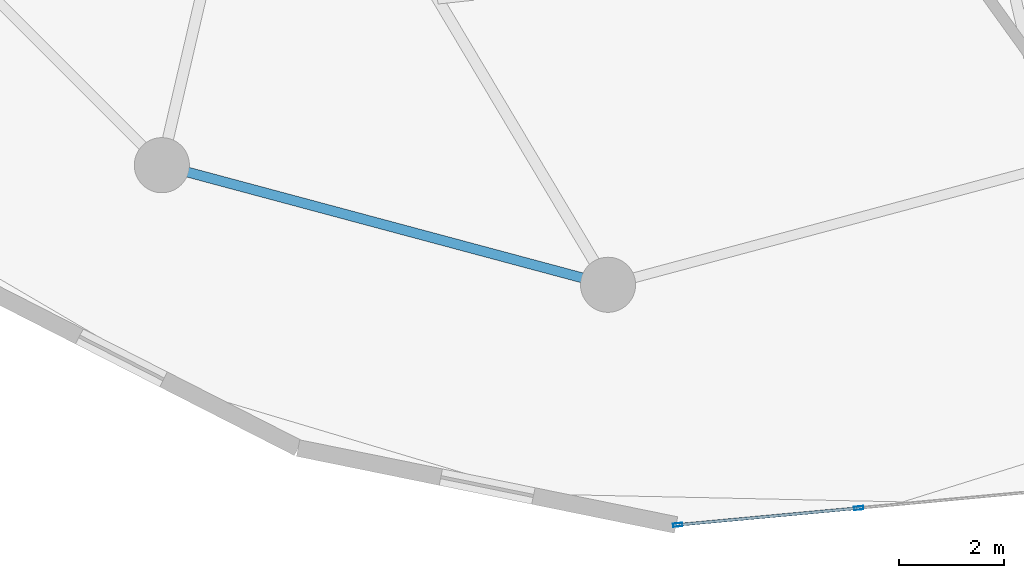
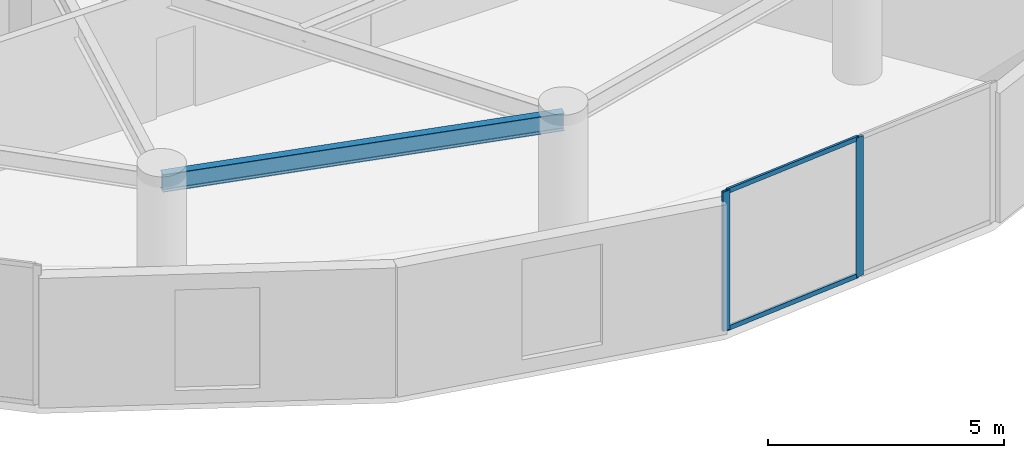
# One storey, part 3 of 25: 4 members, 1 beam, 1 element without a shape of its own.
"""IFC4 building model written with IfcOpenShell, lengths in metres."""

import ifcopenshell
import ifcopenshell.guid

model = None  # the IFC model being written
_history = None  # IfcOwnerHistory: only IFC2X3 demands one
_inside = {}  # id of a spatial element -> (the spatial element, [elements in it])
_under = {}  # id of a project, library or spatial element -> (it, [spatial elements below it])
_declared = {}  # id of a project -> (the project, [libraries it declares])
_typed = {}  # id of a type object -> (the type object, [elements of that type])
_made_of = {}  # id of a material, layer set ... -> (it, [elements and type objects made of it])


def new_model(schema):
    """Start an empty IFC model of exactly this schema.

    Asked for "IFC4X3", IfcOpenShell would pick the latest addendum, in which some entities
    have other attributes; the version numbers below select the first issue.
    IFC2X3 requires an IfcOwnerHistory on every rooted entity: one is made here for all.
    """
    global model, _history
    if schema == "IFC4X3":
        model = ifcopenshell.file(schema_version=(4, 3, 0, 0))
    else:
        model = ifcopenshell.file(schema=schema)
    _inside.clear()
    _under.clear()
    _declared.clear()
    _typed.clear()
    _made_of.clear()
    _history = None
    if model.schema == "IFC2X3":
        org = make("IfcOrganization", Name="unknown")
        user = make(
            "IfcPersonAndOrganization",
            ThePerson=make("IfcPerson", FamilyName="unknown"),
            TheOrganization=org,
        )
        app = make(
            "IfcApplication",
            ApplicationDeveloper=org,
            Version="unknown",
            ApplicationFullName="unknown",
            ApplicationIdentifier="unknown",
        )
        _history = make(
            "IfcOwnerHistory",
            OwningUser=user,
            OwningApplication=app,
            ChangeAction="ADDED",
            CreationDate=0,
        )
    return model


def make(cls, **values):
    """One entity of the class cls with the attributes given. An attribute that is None is left unset."""
    return model.create_entity(
        cls, **{name: value for name, value in values.items() if value is not None}
    )


def rooted(cls, **values):
    """An entity with a GlobalId (a new one), such as an element, a storey or a relation."""
    return make(cls, GlobalId=ifcopenshell.guid.new(), OwnerHistory=_history, **values)


def si_unit(unit_type, name, prefix=None):
    """IfcSIUnit, for example si_unit("LENGTHUNIT", "METRE", prefix="MILLI")."""
    return make("IfcSIUnit", UnitType=unit_type, Prefix=prefix, Name=name)


def assignment(units):
    """IfcUnitAssignment: the units of a project."""
    return None if units is None else make("IfcUnitAssignment", Units=units)


def point(xyz):
    """IfcCartesianPoint."""
    return None if xyz is None else make("IfcCartesianPoint", Coordinates=xyz)


def direction(xyz):
    """IfcDirection."""
    return None if xyz is None else make("IfcDirection", DirectionRatios=xyz)


def frame(location, z_axis=None, x_axis=None):
    """IfcAxis2Placement3D, a coordinate frame: its origin and axes. An axis left out is left unset."""
    return make(
        "IfcAxis2Placement3D",
        Location=point(location),
        Axis=direction(z_axis),
        RefDirection=direction(x_axis),
    )


def frame_2d(location, x_axis=None):
    """IfcAxis2Placement2D, a coordinate frame in the plane: its origin and x axis."""
    return make(
        "IfcAxis2Placement2D", Location=point(location), RefDirection=direction(x_axis)
    )


def origin():
    """The frame at (0, 0, 0) with its axes left unset."""
    return frame((0.0, 0.0, 0.0))


def origin_2d():
    """The frame at (0, 0) in the plane with its x axis left unset."""
    return frame_2d((0.0, 0.0))


def place(relative_to, where):
    """IfcLocalPlacement: puts the frame where relative to a parent placement (None: the world)."""
    return make(
        "IfcLocalPlacement", PlacementRelTo=relative_to, RelativePlacement=where
    )


def context(
    kind, dimensions, precision=None, world=None, true_north=None, identifier=None
):
    """IfcGeometricRepresentationContext, for example the 3D "Model" context."""
    return make(
        "IfcGeometricRepresentationContext",
        ContextIdentifier=identifier,
        ContextType=kind,
        CoordinateSpaceDimension=dimensions,
        Precision=precision,
        WorldCoordinateSystem=world,
        TrueNorth=true_north,
    )


def subcontext(parent, identifier, kind, view, scale=None):
    """IfcGeometricRepresentationSubContext, for example "Body" below "Model"."""
    return make(
        "IfcGeometricRepresentationSubContext",
        ContextIdentifier=identifier,
        ContextType=kind,
        ParentContext=parent,
        TargetScale=scale,
        TargetView=view,
    )


def project(units=None, contexts=None):
    """IfcProject with its units and contexts."""
    return rooted(
        "IfcProject",
        Name="project",
        RepresentationContexts=contexts,
        UnitsInContext=assignment(units),
    )


def spatial(cls, under=None, at=None, **own):
    """A site, building, storey or space (cls), placed at a placement, below another one or the project."""
    s = rooted(cls, ObjectPlacement=at, **own)
    if under is not None:
        _under.setdefault(under.id(), (under, []))[1].append(s)
    return s


def profile(cls, at=None, kind="AREA", **sizes):
    """A parametric profile (cls). Its sizes go by their IFC names, for example OverallWidth=200.0."""
    return make(cls, ProfileType=kind, Position=at, **sizes)


def hollow_rectangle(**sizes):
    """IfcRectangleHollowProfileDef."""
    return profile("IfcRectangleHollowProfileDef", **sizes)


def i_section(**sizes):
    """IfcIShapeProfileDef."""
    return profile("IfcIShapeProfileDef", **sizes)


def extrude(swept, where, along, depth):
    """IfcExtrudedAreaSolid: the profile swept, set in the frame where, extruded along a direction by depth."""
    return make(
        "IfcExtrudedAreaSolid",
        SweptArea=swept,
        Position=where,
        ExtrudedDirection=direction(along),
        Depth=depth,
    )


def shape(context_of_items, identifier, shape_type, items):
    """IfcShapeRepresentation: the items that make up one representation, for example the "Body"."""
    return make(
        "IfcShapeRepresentation",
        ContextOfItems=context_of_items,
        RepresentationIdentifier=identifier,
        RepresentationType=shape_type,
        Items=items,
    )


def source(mapping_origin, context_of_items, identifier, shape_type, items):
    """IfcRepresentationMap: a shape defined once, which mapped items show again and again."""
    return make(
        "IfcRepresentationMap",
        MappingOrigin=mapping_origin,
        MappedRepresentation=shape(context_of_items, identifier, shape_type, items),
    )


def transform(
    local_origin,
    x_axis=None,
    y_axis=None,
    z_axis=None,
    scale=None,
    scale2=None,
    scale3=None,
    uniform=True,
):
    """IfcCartesianTransformationOperator3D, or its non-uniform kind. x_axis, y_axis, z_axis: its Axis1, 2, 3."""
    if uniform:
        return make(
            "IfcCartesianTransformationOperator3D",
            Axis1=direction(x_axis),
            Axis2=direction(y_axis),
            LocalOrigin=point(local_origin),
            Scale=scale,
            Axis3=direction(z_axis),
        )
    return make(
        "IfcCartesianTransformationOperator3DnonUniform",
        Axis1=direction(x_axis),
        Axis2=direction(y_axis),
        LocalOrigin=point(local_origin),
        Scale=scale,
        Axis3=direction(z_axis),
        Scale2=scale2,
        Scale3=scale3,
    )


def mapped(mapping_source, mapping_target):
    """IfcMappedItem: shows the shape of a source again, moved by a transform."""
    return make(
        "IfcMappedItem", MappingSource=mapping_source, MappingTarget=mapping_target
    )


def material(Name=None, Category=None):
    """IfcMaterial."""
    return make("IfcMaterial", Name=Name, Category=Category)


def layer(
    of_material, thickness, ventilated=None, Name=None, Category=None, Priority=None
):
    """IfcMaterialLayer: one layer of a wall or slab, of a material (None: an air gap)."""
    return make(
        "IfcMaterialLayer",
        Material=of_material,
        LayerThickness=thickness,
        IsVentilated=ventilated,
        Name=Name,
        Category=Category,
        Priority=Priority,
    )


def layer_set(layers, Name=None):
    """IfcMaterialLayerSet."""
    return make("IfcMaterialLayerSet", MaterialLayers=layers, LayerSetName=Name)


def material_profile(
    of_material, cross_section, Name=None, Category=None, Priority=None
):
    """IfcMaterialProfile: a cross section and its material."""
    return make(
        "IfcMaterialProfile",
        Name=Name,
        Material=of_material,
        Profile=cross_section,
        Priority=Priority,
        Category=Category,
    )


def profile_set(profiles, Name=None, composite=None):
    """IfcMaterialProfileSet."""
    return make(
        "IfcMaterialProfileSet",
        Name=Name,
        MaterialProfiles=profiles,
        CompositeProfile=composite,
    )


def made_of(thing, what):
    """Note that an element or type object is made of a material, layer set ...; save() writes the relation."""
    if what is not None:
        _made_of.setdefault(what.id(), (what, []))[1].append(thing)
    return thing


def type_object(cls, material=None, **own):
    """A type object (cls), such as IfcWallType, which elements share."""
    return made_of(rooted(cls, **own), material)


def element(
    cls,
    number,
    at=None,
    inside=None,
    cuts=None,
    type_object=None,
    material=None,
    context=None,
    identifier="Body",
    shape_type=None,
    held_by="IfcProductDefinitionShape",
    body=None,
    shapes=None,
    **own,
):
    """One element of the class cls, such as IfcWall. Its Tag is "e" and its number.

    at: its placement. inside: the storey or other place that contains it. cuts: it is an
    opening in that element (IfcRelVoidsElement). A single representation is given by context,
    identifier, shape_type and body (its items); several are given by shapes. held_by: the class
    of the entity that holds the representations. save() writes the other relations.
    """
    e = rooted(cls, Tag="e%d" % number, ObjectPlacement=at, **own)
    if body is not None:
        shapes = [shape(context, identifier, shape_type, body)]
    if shapes is not None:
        e.Representation = make(held_by, Representations=shapes)
    if inside is not None:
        _inside.setdefault(inside.id(), (inside, []))[1].append(e)
    if cuts is not None:
        rooted(
            "IfcRelVoidsElement", RelatingBuildingElement=cuts, RelatedOpeningElement=e
        )
    if type_object is not None:
        _typed.setdefault(type_object.id(), (type_object, []))[1].append(e)
    return made_of(e, material)


def aggregate(whole, parts):
    """IfcRelAggregates: a whole, such as a stair, and the parts it consists of."""
    return rooted("IfcRelAggregates", RelatingObject=whole, RelatedObjects=parts)


def save(model, path):
    """Write the relations noted so far, then the file.

    IfcRelAggregates (storeys below a building ...), IfcRelContainedInSpatialStructure (elements
    in a storey), IfcRelDefinesByType, IfcRelAssociatesMaterial and IfcRelDeclares: one each for
    every whole, place, type object, material and project.
    """
    for whole, parts in _under.values():
        aggregate(whole, parts)
    for where, things in _inside.values():
        rooted(
            "IfcRelContainedInSpatialStructure",
            RelatedElements=things,
            RelatingStructure=where,
        )
    for kind, things in _typed.values():
        rooted("IfcRelDefinesByType", RelatedObjects=things, RelatingType=kind)
    for what, things in _made_of.values():
        rooted("IfcRelAssociatesMaterial", RelatedObjects=things, RelatingMaterial=what)
    for by, libraries in _declared.values():
        rooted("IfcRelDeclares", RelatingContext=by, RelatedDefinitions=libraries)
    model.write(path)


model = new_model("IFC4")

# Units and contexts
model_context = context("Model", 3, precision=1e-05, world=origin(), true_north=direction((0.0, 1.0)))
body_context = subcontext(model_context, "Body", "Model", "MODEL_VIEW")
ifc_project = project(units=[si_unit("LENGTHUNIT", "METRE"), si_unit("AREAUNIT", "SQUARE_METRE"), si_unit("VOLUMEUNIT", "CUBIC_METRE"), si_unit("PLANEANGLEUNIT", "RADIAN"), si_unit("MASSUNIT", "GRAM", prefix="KILO")], contexts=[model_context])

# Site, building, storey
site_placement = place(None, origin())
site = spatial("IfcSite", under=ifc_project, at=site_placement, CompositionType="ELEMENT")
building_placement = place(site_placement, origin())
building = spatial("IfcBuilding", under=site, at=building_placement, Name="Solvirekh Grand Hotel", CompositionType="ELEMENT")
storey_placement = place(building_placement, frame((0.0, 0.0, 117.0)))
storey = spatial("IfcBuildingStorey", under=building, at=storey_placement, Name="L29", CompositionType="ELEMENT", Elevation=117.0)

# Beam
ifc_material_1 = material(Name="Steel S355", Category="steel")
ifc_material_profile_1 = material_profile(ifc_material_1, i_section(OverallWidth=0.18994140625, OverallDepth=0.45703125, WebThickness=0.009033203125, FlangeThickness=0.013916015625, FilletRadius=0.012939453125, at=origin_2d()), Name="W460X74")
ifc_profile_set_1 = profile_set([ifc_material_profile_1], Name="Steel S355")
beam_type = type_object("IfcBeamType", Name="Spandrel_Ring_W460", PredefinedType="SPANDREL", material=ifc_profile_set_1)
beam_placement = place(storey_placement, frame((-8.5, -14.721923828125, 3.12109375), z_axis=(0.965911391906, -0.258872908946, 0.0), x_axis=(0.258872908946, 0.965911391906, 0.0)))
element("IfcBeam", 1, at=beam_placement, inside=storey, type_object=beam_type, Name="L29 perimeter spandrel beam 9", PredefinedType="SPANDREL", context=body_context, shape_type="SweptSolid", body=[
    extrude(i_section(OverallWidth=0.18994140625, OverallDepth=0.45703125, WebThickness=0.009033203125, FlangeThickness=0.013916015625, FilletRadius=0.012939453125, at=origin_2d()), origin(), (0.0, 0.0, 1.0), 8.800048828125),
])

# Curtain wall, members
ifc_material_2 = material(Name="Anodized Bronze Aluminium 6063-T6", Category="aluminium")
ifc_layer = layer(ifc_material_2, 0.175048828125)
ifc_layer_set = layer_set([ifc_layer], Name="Anodized Bronze Aluminium 6063-T6")
curtain_wall_type = type_object("IfcCurtainWallType", Name="CW_Sys3_MidZoneFlushBronzeCW", PredefinedType="NOTDEFINED", material=ifc_layer_set)
curtain_wall_placement = place(storey_placement, origin())
curtain_wall = element("IfcCurtainWall", 2, at=curtain_wall_placement, inside=storey, type_object=curtain_wall_type, Name="L29 unitised bronze-glass curtain wall CW-L29-C18", PredefinedType="NOTDEFINED")
ifc_material_profile_2 = material_profile(ifc_material_2, hollow_rectangle(XDim=0.06494140625, YDim=0.175048828125, WallThickness=0.0048828125, at=origin_2d()), Name="ALU RHS 175X65X5")
ifc_profile_set_2 = profile_set([ifc_material_profile_2], Name="Anodized Bronze Aluminium 6063-T6")
member_type_1 = type_object("IfcMemberType", Name="CWMullion_Sys3", PredefinedType="MULLION", material=ifc_profile_set_2)
shared_shape_1 = source(origin(), body_context, "Body", "SweptSolid", [
    extrude(hollow_rectangle(XDim=0.06494140625, YDim=0.175048828125, WallThickness=0.0048828125, at=origin_2d()), origin(), (0.0, 0.0, 1.0), 3.60009765625),
])
member_1_placement = place(storey_placement, frame((1.327392578125, -21.573974609375, 0.0), z_axis=(0.0, 0.0, 1.0), x_axis=(-0.092418859404, 0.99572021895, 0.0)))
member_1 = element("IfcMember", 3, at=member_1_placement, type_object=member_type_1, Name="U03 mullion 1", PredefinedType="MULLION", context=body_context, shape_type="MappedRepresentation", body=[
    mapped(shared_shape_1, transform((0.0, 0.0, 0.0), x_axis=(1.0, 0.0, 0.0), y_axis=(0.0, 1.0, 0.0), z_axis=(0.0, 0.0, 1.0), scale=1.0)),
])
member_2_placement = place(storey_placement, frame((4.77490234375, -21.25390625, 0.0), z_axis=(0.0, 0.0, 1.0), x_axis=(-0.092418859404, 0.99572021895, 0.0)))
member_2 = element("IfcMember", 4, at=member_2_placement, type_object=member_type_1, Name="U03 mullion 2", PredefinedType="MULLION", context=body_context, shape_type="MappedRepresentation", body=[
    mapped(shared_shape_1, transform((0.0, 0.0, 0.0), x_axis=(1.0, 0.0, 0.0), y_axis=(0.0, 1.0, 0.0), z_axis=(0.0, 0.0, 1.0), scale=1.0)),
])
ifc_material_profile_3 = material_profile(ifc_material_2, hollow_rectangle(XDim=0.054931640625, YDim=0.1201171875, WallThickness=0.00390625, at=origin_2d()), Name="ALU RHS 120X55X4")
ifc_profile_set_3 = profile_set([ifc_material_profile_3], Name="Anodized Bronze Aluminium 6063-T6")
member_type_2 = type_object("IfcMemberType", Name="CWTransom_Sys3", PredefinedType="USERDEFINED", material=ifc_profile_set_3)
shared_shape_2 = source(origin(), body_context, "Body", "SweptSolid", [
    extrude(hollow_rectangle(XDim=0.054931640625, YDim=0.1201171875, WallThickness=0.00390625, at=origin_2d()), origin(), (0.0, 0.0, 1.0), 3.397705078125),
])
member_3_placement = place(storey_placement, frame((1.359619140625, -21.571044921875, 0.027587890625), z_axis=(0.995721227869, 0.092407988673, 0.0), x_axis=(-0.092407988673, 0.995721227869, 0.0)))
member_3 = element("IfcMember", 5, at=member_3_placement, type_object=member_type_2, Name="U03 transom 1.1", ObjectType="TRANSOM", PredefinedType="USERDEFINED", context=body_context, shape_type="MappedRepresentation", body=[
    mapped(shared_shape_2, transform((0.0, 0.0, 0.0), x_axis=(1.0, 0.0, 0.0), y_axis=(0.0, 1.0, 0.0), z_axis=(0.0, 0.0, 1.0), scale=1.0)),
])
member_4_placement = place(storey_placement, frame((1.359619140625, -21.571044921875, 3.572509765625), z_axis=(0.995721227869, 0.092407988673, 0.0), x_axis=(-0.092407988673, 0.995721227869, 0.0)))
member_4 = element("IfcMember", 6, at=member_4_placement, type_object=member_type_2, Name="U03 transom 1.2", ObjectType="TRANSOM", PredefinedType="USERDEFINED", context=body_context, shape_type="MappedRepresentation", body=[
    mapped(shared_shape_2, transform((0.0, 0.0, 0.0), x_axis=(1.0, 0.0, 0.0), y_axis=(0.0, 1.0, 0.0), z_axis=(0.0, 0.0, 1.0), scale=1.0)),
])
aggregate(curtain_wall, [member_1, member_2, member_3, member_4])

save(model, "model.ifc")
